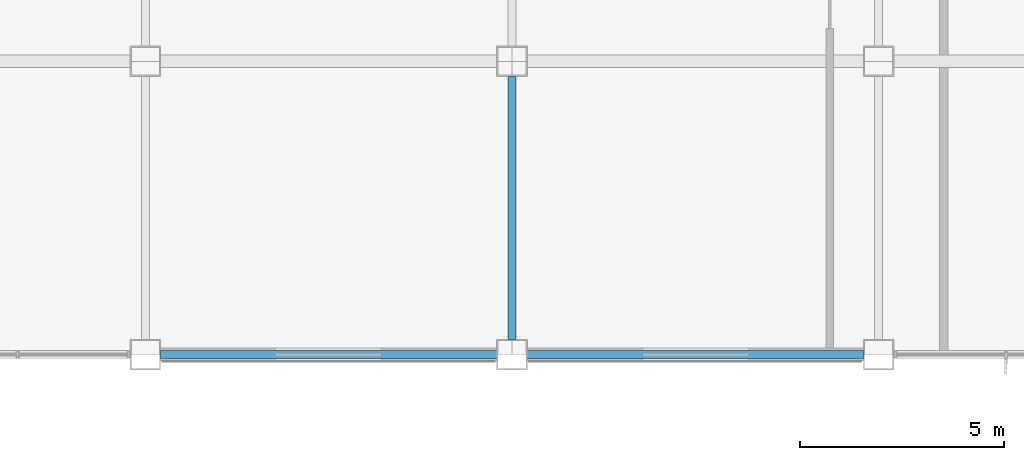
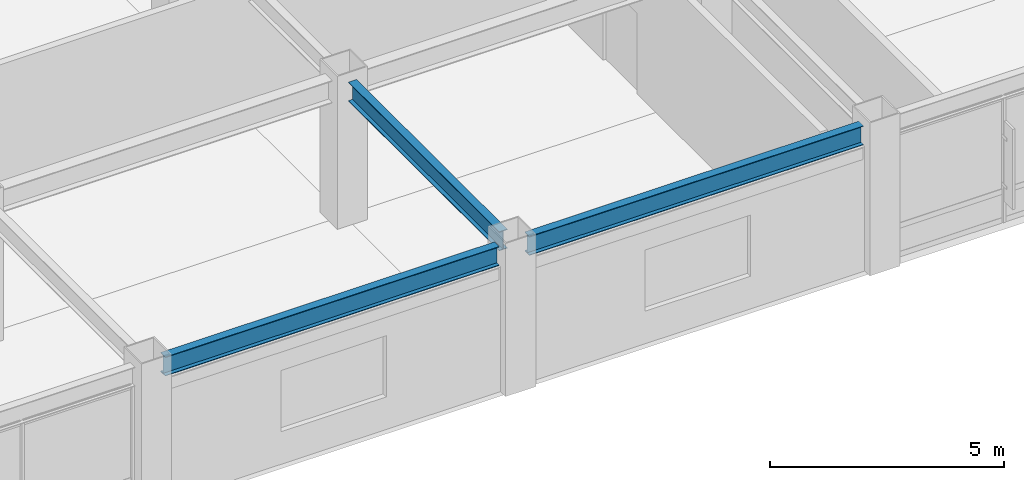
# One storey, part 86 of 122: 3 beams.
"""IFC4 building model written with IfcOpenShell, lengths in metres."""

from ifc_helpers import new_model, si_unit, direction, frame, origin, origin_2d, place, context, subcontext, project, spatial, i_section, extrude, material, material_profile, profile_set, type_object, element, save


model = new_model("IFC4")

# Units and contexts
model_context = context("Model", 3, precision=1e-05, world=origin(), true_north=direction((0.0, 1.0)))
body_context = subcontext(model_context, "Body", "Model", "MODEL_VIEW")
ifc_project = project(units=[si_unit("LENGTHUNIT", "METRE"), si_unit("AREAUNIT", "SQUARE_METRE"), si_unit("VOLUMEUNIT", "CUBIC_METRE"), si_unit("PLANEANGLEUNIT", "RADIAN"), si_unit("MASSUNIT", "GRAM", prefix="KILO")], contexts=[model_context])

# Site, building, storey
site_placement = place(None, origin())
site = spatial("IfcSite", under=ifc_project, at=site_placement, CompositionType="ELEMENT")
building_placement = place(site_placement, origin())
building = spatial("IfcBuilding", under=site, at=building_placement, Name="Kazanami Central Library", CompositionType="ELEMENT")
storey_placement = place(building_placement, frame((0.0, 0.0, 4.800048828125)))
storey = spatial("IfcBuildingStorey", under=building, at=storey_placement, Name="L02", CompositionType="ELEMENT", Elevation=4.800048828125)

# Beams
ifc_material = material(Name="Steel SN490B (325 MPa)", Category="steel")
ifc_material_profile_1 = material_profile(ifc_material, i_section(OverallWidth=0.199951171875, OverallDepth=0.5, WebThickness=0.010009765625, FlangeThickness=0.01611328125, at=origin_2d()), Name="H-500x200x10x16")
ifc_profile_set_1 = profile_set([ifc_material_profile_1], Name="Steel SN490B (325 MPa)")
beam_type_1 = type_object("IfcBeamType", Name="BM-G-Y2", PredefinedType="BEAM", material=ifc_profile_set_1)
beam_placement = place(storey_placement, frame((135.0, 43.572998046875, 3.5048828125), z_axis=(0.0, 1.0, 0.0), x_axis=(-1.0, 0.0, 0.0)))
element("IfcBeam", 1, at=beam_placement, inside=storey, type_object=beam_type_1, Name="Girder G-Y2 L02 16/G-H", PredefinedType="BEAM", context=body_context, shape_type="SweptSolid", body=[
    extrude(i_section(OverallWidth=0.199951171875, OverallDepth=0.5, WebThickness=0.010009765625, FlangeThickness=0.01611328125, at=origin_2d()), origin(), (0.0, 0.0, 1.0), 6.4541015625),
])
ifc_material_profile_2 = material_profile(ifc_material, i_section(OverallWidth=0.199951171875, OverallDepth=0.5, WebThickness=0.010009765625, FlangeThickness=0.01611328125, at=origin_2d()), Name="H-500x200x10x16")
ifc_profile_set_2 = profile_set([ifc_material_profile_2], Name="Steel SN490B (325 MPa)")
beam_type_2 = type_object("IfcBeamType", Name="BM-SP-1", PredefinedType="SPANDREL", material=ifc_profile_set_2)
for number, where, z_axis, x_axis, name in (
    (2, (126.373046875, 43.199951171875, 3.5048828125), (1.0, 0.0, 0.0), (0.0, 1.0, 0.0), "Girder SP-1 L02 G/15-16"),
    (3, (135.373046875, 43.199951171875, 3.5048828125), (1.0, 0.0, 0.0), (0.0, 1.0, 0.0), "Girder SP-1 L02 G/16-17"),
):
    element("IfcBeam", number, at=place(storey_placement, frame(where, z_axis=z_axis, x_axis=x_axis)), inside=storey, type_object=beam_type_2, Name=name, PredefinedType="SPANDREL", context=body_context, shape_type="SweptSolid", body=[
        extrude(i_section(OverallWidth=0.199951171875, OverallDepth=0.5, WebThickness=0.010009765625, FlangeThickness=0.01611328125, at=origin_2d()), origin(), (0.0, 0.0, 1.0), 8.25390625),
    ])

save(model, "model.ifc")
